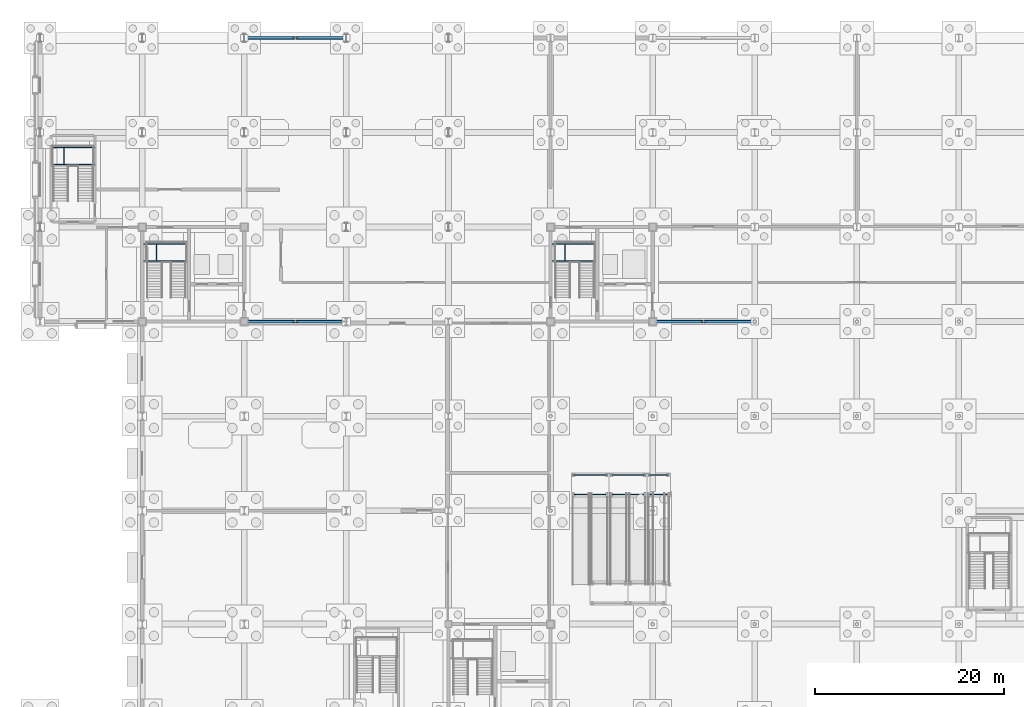
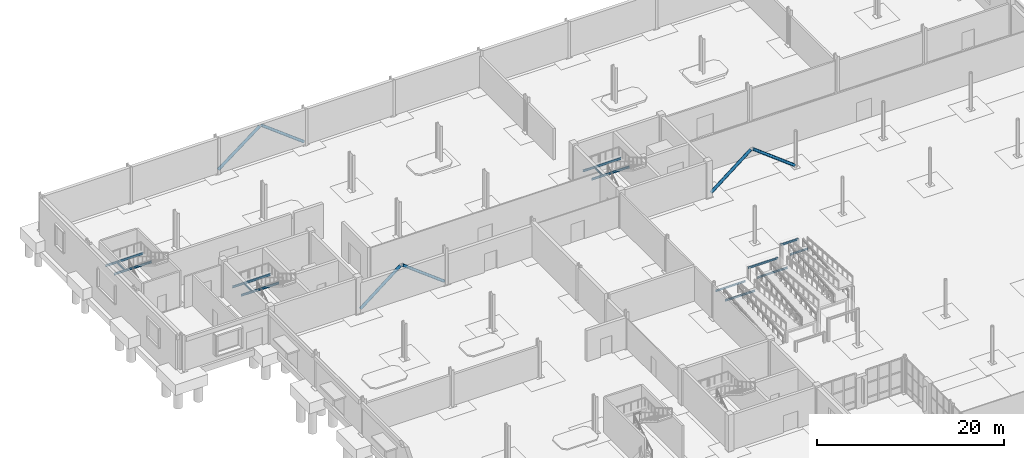
# One storey, part 36 of 73: 15 beams, 6 members.
"""IFC4 building model written with IfcOpenShell, lengths in metres."""

from ifc_helpers import new_model, si_unit, direction, frame, origin, origin_2d, place, context, subcontext, project, spatial, hollow_circle, i_section, extrude, material, material_profile, profile_set, type_object, element, save


model = new_model("IFC4")

# Units and contexts
model_context = context("Model", 3, precision=1e-05, world=origin(), true_north=direction((0.0, 1.0)))
body_context = subcontext(model_context, "Body", "Model", "MODEL_VIEW")
ifc_project = project(units=[si_unit("LENGTHUNIT", "METRE"), si_unit("AREAUNIT", "SQUARE_METRE"), si_unit("VOLUMEUNIT", "CUBIC_METRE"), si_unit("PLANEANGLEUNIT", "RADIAN"), si_unit("MASSUNIT", "GRAM", prefix="KILO")], contexts=[model_context])

# Site, building, storey
site_placement = place(None, origin())
site = spatial("IfcSite", under=ifc_project, at=site_placement, CompositionType="ELEMENT")
building_placement = place(site_placement, origin())
building = spatial("IfcBuilding", under=site, at=building_placement, Name="Tasgan Crest Museum", CompositionType="ELEMENT")
storey_placement = place(building_placement, origin())
storey = spatial("IfcBuildingStorey", under=building, at=storey_placement, Name="L00", CompositionType="ELEMENT", Elevation=0.0)

# Beams
ifc_material_1 = material(Name="Steel S355J2", Category="steel")
ifc_material_profile_1 = material_profile(ifc_material_1, i_section(OverallWidth=0.1201171875, OverallDepth=0.239990234375, WebThickness=0.006103515625, FlangeThickness=0.009765625, FilletRadius=0.014892578125, at=origin_2d()), Name="IPE 240")
ifc_profile_set_1 = profile_set([ifc_material_profile_1], Name="Steel S355J2")
beam_type_1 = type_object("IfcBeamType", Name="BM-LAND-IPE240", PredefinedType="BEAM", material=ifc_profile_set_1)
for number, where, z_axis, x_axis, name in (
    (1, (12.324951171875, 88.465087890625, 2.080078125), (0.0, 1.0, 0.0), (-1.0, 0.0, 0.0), "Stair half-landing crossbeam ST-NW-L00 T1"),
    (2, (55.52490234375, 88.465087890625, 2.080078125), (0.0, 1.0, 0.0), (-1.0, 0.0, 0.0), "Stair half-landing crossbeam ST-NC-L00 T1"),
    (3, (2.550048828125, 98.6650390625, 2.080078125), (0.0, 1.0, 0.0), (-1.0, 0.0, 0.0), "Stair half-landing crossbeam ST-GW-L00 T1"),
):
    element("IfcBeam", number, at=place(storey_placement, frame(where, z_axis=z_axis, x_axis=x_axis)), inside=storey, type_object=beam_type_1, Name=name, PredefinedType="BEAM", context=body_context, shape_type="SweptSolid", body=[
        extrude(i_section(OverallWidth=0.1201171875, OverallDepth=0.239990234375, WebThickness=0.006103515625, FlangeThickness=0.009765625, FilletRadius=0.014892578125, at=origin_2d()), origin(), (0.0, 0.0, 1.0), 1.679931640625),
    ])
for number, where, z_axis, x_axis, name in (
    (4, (56.35009765625, 63.699951171875, 0.47998046875), (1.0, 0.0, 0.0), (0.0, 1.0, 0.0), "Ramp landing beam 1S"),
    (5, (56.35009765625, 65.75, 0.47998046875), (1.0, 0.0, 0.0), (0.0, 1.0, 0.0), "Ramp landing beam 1N"),
    (6, (60.35009765625, 63.699951171875, 2.080078125), (1.0, 0.0, 0.0), (0.0, 1.0, 0.0), "Ramp landing beam 3S"),
    (7, (60.35009765625, 65.75, 2.080078125), (1.0, 0.0, 0.0), (0.0, 1.0, 0.0), "Ramp landing beam 3N"),
):
    element("IfcBeam", number, at=place(storey_placement, frame(where, z_axis=z_axis, x_axis=x_axis)), inside=storey, type_object=beam_type_1, Name=name, PredefinedType="BEAM", context=body_context, shape_type="SweptSolid", body=[
        extrude(i_section(OverallWidth=0.1201171875, OverallDepth=0.239990234375, WebThickness=0.006103515625, FlangeThickness=0.009765625, FilletRadius=0.014892578125, at=origin_2d()), origin(), (0.0, 0.0, 1.0), 3.699951171875),
    ])
for number, where, z_axis, x_axis, name in (
    (8, (64.35009765625, 63.699951171875, 3.679931640625), (1.0, 0.0, 0.0), (0.0, 1.0, 0.0), "Ramp landing beam 5S"),
    (9, (64.35009765625, 65.75, 3.679931640625), (1.0, 0.0, 0.0), (0.0, 1.0, 0.0), "Ramp landing beam 5N"),
):
    element("IfcBeam", number, at=place(storey_placement, frame(where, z_axis=z_axis, x_axis=x_axis)), inside=storey, type_object=beam_type_1, Name=name, PredefinedType="BEAM", context=body_context, shape_type="SweptSolid", body=[
        extrude(i_section(OverallWidth=0.1201171875, OverallDepth=0.239990234375, WebThickness=0.006103515625, FlangeThickness=0.009765625, FilletRadius=0.014892578125, at=origin_2d()), origin(), (0.0, 0.0, 1.0), 2.199951171875),
    ])
ifc_material_2 = material(Name="Steel S355J2", Category="steel")
ifc_material_profile_2 = material_profile(ifc_material_2, i_section(OverallWidth=0.135009765625, OverallDepth=0.27001953125, WebThickness=0.006591796875, FlangeThickness=0.01025390625, FilletRadius=0.014892578125, at=origin_2d()), Name="IPE 270")
ifc_profile_set_2 = profile_set([ifc_material_profile_2], Name="Steel S355J2")
beam_type_2 = type_object("IfcBeamType", Name="BM-LAND-IPE270", PredefinedType="BEAM", material=ifc_profile_set_2)
for number, where, z_axis, x_axis, name in (
    (10, (10.929931640625, 88.405029296875, 2.06494140625), (1.0, 0.0, 0.0), (0.0, 1.0, 0.0), "Stair half-landing beam ST-NW-L00 T1F"),
    (11, (10.929931640625, 90.205078125, 2.06494140625), (1.0, 0.0, 0.0), (0.0, 1.0, 0.0), "Stair half-landing beam ST-NW-L00 T1B"),
    (12, (54.1298828125, 88.405029296875, 2.06494140625), (1.0, 0.0, 0.0), (0.0, 1.0, 0.0), "Stair half-landing beam ST-NC-L00 T1F"),
    (13, (54.1298828125, 90.205078125, 2.06494140625), (1.0, 0.0, 0.0), (0.0, 1.0, 0.0), "Stair half-landing beam ST-NC-L00 T1B"),
):
    element("IfcBeam", number, at=place(storey_placement, frame(where, z_axis=z_axis, x_axis=x_axis)), inside=storey, type_object=beam_type_2, Name=name, PredefinedType="BEAM", context=body_context, shape_type="SweptSolid", body=[
        extrude(i_section(OverallWidth=0.135009765625, OverallDepth=0.27001953125, WebThickness=0.006591796875, FlangeThickness=0.01025390625, FilletRadius=0.014892578125, at=origin_2d()), origin(), (0.0, 0.0, 1.0), 4.690185546875),
    ])
for number, where, z_axis, x_axis, name in (
    (14, (1.179931640625, 98.60498046875, 2.06494140625), (1.0, 0.0, 0.0), (0.0, 1.0, 0.0), "Stair half-landing beam ST-GW-L00 T1F"),
    (15, (1.179931640625, 100.405029296875, 2.06494140625), (1.0, 0.0, 0.0), (0.0, 1.0, 0.0), "Stair half-landing beam ST-GW-L00 T1B"),
):
    element("IfcBeam", number, at=place(storey_placement, frame(where, z_axis=z_axis, x_axis=x_axis)), inside=storey, type_object=beam_type_2, Name=name, PredefinedType="BEAM", context=body_context, shape_type="SweptSolid", body=[
        extrude(i_section(OverallWidth=0.135009765625, OverallDepth=0.27001953125, WebThickness=0.006591796875, FlangeThickness=0.01025390625, FilletRadius=0.014892578125, at=origin_2d()), origin(), (0.0, 0.0, 1.0), 4.64013671875),
    ])

# Members
ifc_material_3 = material(Name="Steel S355K2", Category="steel")
ifc_material_profile_3 = material_profile(ifc_material_3, hollow_circle(Radius=0.177734375, WallThickness=0.01611328125, at=origin_2d()), Name="CHS 355.6x16")
ifc_profile_set_3 = profile_set([ifc_material_profile_3], Name="Steel S355K2")
member_type = type_object("IfcMemberType", Name="MEM-BR-CHS355", PredefinedType="BRACE", material=ifc_profile_set_3)
for number, where, z_axis, x_axis, name in (
    (16, (21.75, 112.0, 0.35009765625), (0.796073117419, 0.0, 0.605200455818), (0.0, 1.0, 0.0), "Chevron brace L L00 M 21.6"),
    (17, (32.25, 112.0, 0.35009765625), (-0.796073117419, 0.0, 0.605200455818), (0.0, -1.0, 0.0), "Chevron brace R L00 M 32.4"),
):
    element("IfcMember", number, at=place(storey_placement, frame(where, z_axis=z_axis, x_axis=x_axis)), inside=storey, type_object=member_type, Name=name, PredefinedType="BRACE", context=body_context, shape_type="SweptSolid", body=[
        extrude(hollow_circle(Radius=0.177734375, WallThickness=0.01611328125, at=origin_2d()), origin(), (0.0, 0.0, 1.0), 6.444091796875),
    ])
member_1_placement = place(storey_placement, frame((21.949951171875, 82.0, 0.35009765625), z_axis=(0.784274949848, 0.0, 0.620413413008), x_axis=(0.0, 1.0, 0.0)))
element("IfcMember", 18, at=member_1_placement, inside=storey, type_object=member_type, Name="Chevron brace L L00 J 21.6", PredefinedType="BRACE", context=body_context, shape_type="SweptSolid", body=[
    extrude(hollow_circle(Radius=0.177734375, WallThickness=0.01611328125, at=origin_2d()), origin(), (0.0, 0.0, 1.0), 6.285888671875),
])
member_2_placement = place(storey_placement, frame((32.25, 82.0, 0.35009765625), z_axis=(-0.796073117419, 0.0, 0.605200455818), x_axis=(0.0, -1.0, 0.0)))
element("IfcMember", 19, at=member_2_placement, inside=storey, type_object=member_type, Name="Chevron brace R L00 J 32.4", PredefinedType="BRACE", context=body_context, shape_type="SweptSolid", body=[
    extrude(hollow_circle(Radius=0.177734375, WallThickness=0.01611328125, at=origin_2d()), origin(), (0.0, 0.0, 1.0), 6.444091796875),
])
member_3_placement = place(storey_placement, frame((65.14990234375, 82.0, 0.35009765625), z_axis=(0.784289898775, 0.0, 0.620394515353), x_axis=(0.0, 1.0, 0.0)))
element("IfcMember", 20, at=member_3_placement, inside=storey, type_object=member_type, Name="Chevron brace L L00 J 64.8", PredefinedType="BRACE", context=body_context, shape_type="SweptSolid", body=[
    extrude(hollow_circle(Radius=0.177734375, WallThickness=0.01611328125, at=origin_2d()), origin(), (0.0, 0.0, 1.0), 6.2861328125),
])
member_4_placement = place(storey_placement, frame((75.422119140625, 82.0, 0.35009765625), z_axis=(-0.794482990576, 0.0, 0.607286404989), x_axis=(0.0, -1.0, 0.0)))
element("IfcMember", 21, at=member_4_placement, inside=storey, type_object=member_type, Name="Chevron brace R L00 J 75.6", PredefinedType="BRACE", context=body_context, shape_type="SweptSolid", body=[
    extrude(hollow_circle(Radius=0.177734375, WallThickness=0.01611328125, at=origin_2d()), origin(), (0.0, 0.0, 1.0), 6.421875),
])

save(model, "model.ifc")
